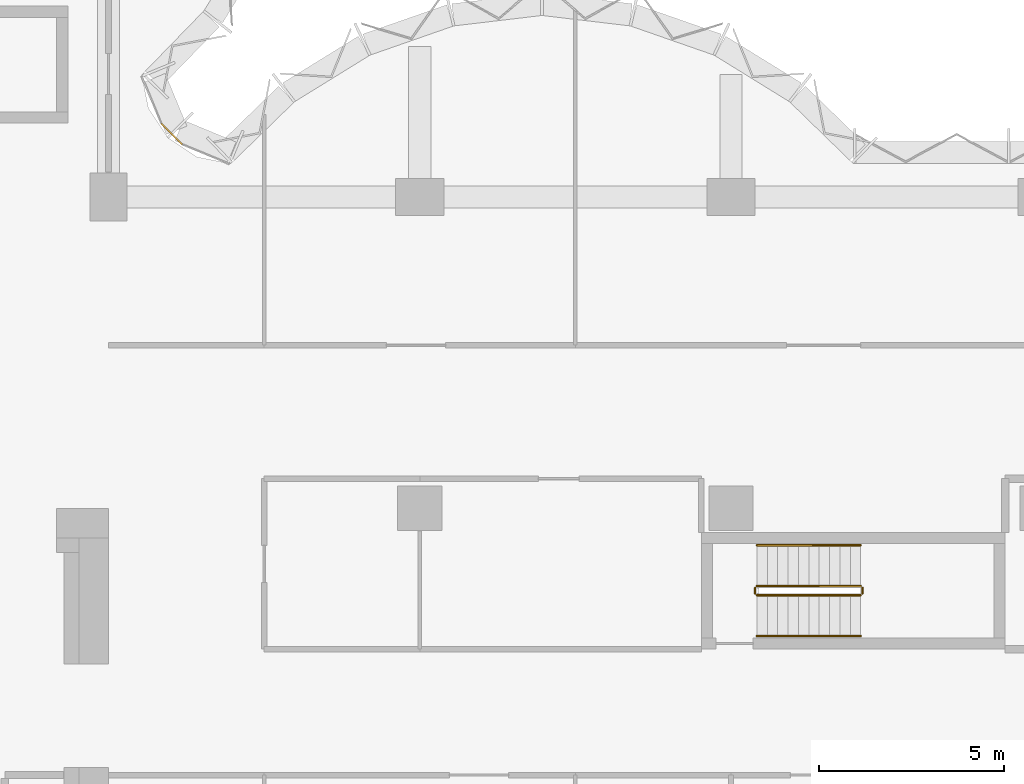
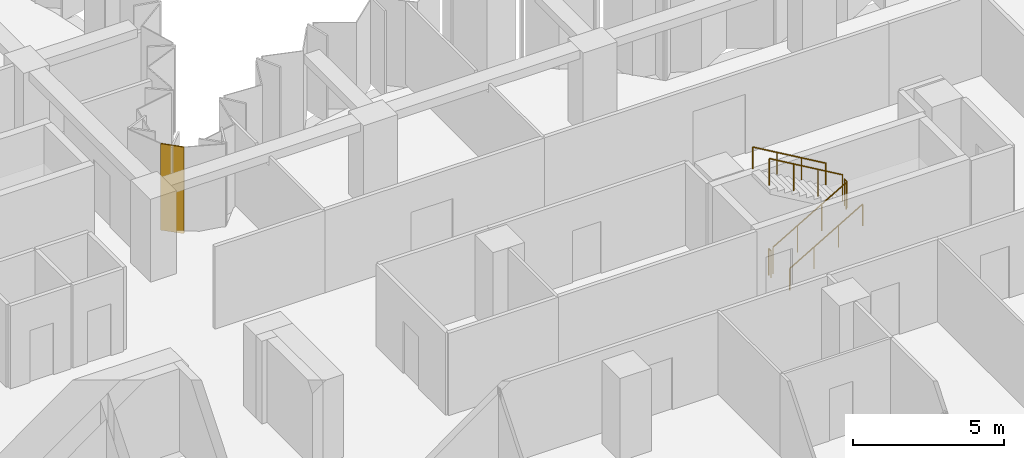
# One storey, part 13 of 13: 6 railings, 1 covering, 1 element without a shape of its own.
"""IFC4 building model written with IfcOpenShell, lengths in metres."""

from ifc_helpers import new_model, si_unit, direction, frame, origin, origin_2d, place, context, subcontext, project, spatial, polyline, circle, outline, extrude, material, layer, layer_set, type_object, element, aggregate, save


model = new_model("IFC4")

# Units and contexts
model_context = context("Model", 3, precision=1e-05, world=origin(), true_north=direction((0.0, 1.0)))
body_context = subcontext(model_context, "Body", "Model", "MODEL_VIEW")
ifc_project = project(units=[si_unit("LENGTHUNIT", "METRE"), si_unit("AREAUNIT", "SQUARE_METRE"), si_unit("VOLUMEUNIT", "CUBIC_METRE"), si_unit("PLANEANGLEUNIT", "RADIAN"), si_unit("MASSUNIT", "GRAM", prefix="KILO")], contexts=[model_context])

# Site, building, storey
site_placement = place(None, origin())
site = spatial("IfcSite", under=ifc_project, at=site_placement, CompositionType="ELEMENT")
building_placement = place(site_placement, origin())
building = spatial("IfcBuilding", under=site, at=building_placement, Name="Brevane Broadcast Tower", CompositionType="ELEMENT")
storey_placement = place(building_placement, frame((0.0, 0.0, 102.5)))
storey = spatial("IfcBuildingStorey", under=building, at=storey_placement, Name="L24", CompositionType="ELEMENT", Elevation=102.5)

# Railings
ifc_material_1 = material(Name="Steel S355", Category="steel")
railing_type_1 = type_object("IfcRailingType", Name="Exit stair guard", PredefinedType="GUARDRAIL", material=ifc_material_1)
railing_1_placement = place(storey_placement, frame((42.699951171875, 14.449951171875, 0.16357421875)))
element("IfcRailing", 1, at=railing_1_placement, inside=storey, type_object=railing_type_1, Name="L24 ST-4 stair guard 1", PredefinedType="GUARDRAIL", context=body_context, shape_type="SweptSolid", body=[
    extrude(circle(Radius=0.02392578125, at=origin_2d()), frame((0.0, 0.0, 1.076171875), z_axis=(0.863360870873, 0.0, 0.504586966384), x_axis=(0.0, 1.0, 0.0)), (0.0, 0.0, 1.0), 3.2431640625),
    extrude(circle(Radius=0.02099609375, at=origin_2d()), origin(), (0.0, 0.0, 1.0), 1.052001953125),
    extrude(circle(Radius=0.02099609375, at=origin_2d()), frame((0.933349609375, 0.0, 0.54541015625)), (0.0, 0.0, 1.0), 1.052001953125),
    extrude(circle(Radius=0.02099609375, at=origin_2d()), frame((1.86669921875, 0.0, 1.091064453125)), (0.0, 0.0, 1.0), 1.052001953125),
    extrude(circle(Radius=0.02099609375, at=origin_2d()), frame((2.800048828125, 0.0, 1.636474609375)), (0.0, 0.0, 1.0), 1.052001953125),
])
railing_2_placement = place(storey_placement, frame((45.550048828125, 14.5, 1.800048828125)))
element("IfcRailing", 2, at=railing_2_placement, inside=storey, type_object=railing_type_1, Name="L24 ST-4 stair guard 2", PredefinedType="GUARDRAIL", context=body_context, shape_type="SweptSolid", body=[
    extrude(circle(Radius=0.02392578125, at=origin_2d()), frame((0.0, 0.0, 1.076171875), z_axis=(0.0, 1.0, 0.0), x_axis=(-1.0, 0.0, 0.0)), (0.0, 0.0, 1.0), 0.14990234375),
    extrude(circle(Radius=0.02099609375, at=origin_2d()), origin(), (0.0, 0.0, 1.0), 1.052001953125),
    extrude(circle(Radius=0.02099609375, at=origin_2d()), frame((0.0, 0.14990234375, 0.0)), (0.0, 0.0, 1.0), 1.052001953125),
])
railing_3_placement = place(storey_placement, frame((45.5, 14.699951171875, 1.963623046875)))
element("IfcRailing", 3, at=railing_3_placement, inside=storey, type_object=railing_type_1, Name="L24 ST-4 stair guard 3", PredefinedType="GUARDRAIL", context=body_context, shape_type="SweptSolid", body=[
    extrude(circle(Radius=0.02392578125, at=origin_2d()), frame((0.0, 0.0, 1.076171875), z_axis=(-0.863360870873, 0.0, 0.504586966384), x_axis=(0.0, -1.0, 0.0)), (0.0, 0.0, 1.0), 3.2431640625),
    extrude(circle(Radius=0.02099609375, at=origin_2d()), origin(), (0.0, 0.0, 1.0), 1.052001953125),
    extrude(circle(Radius=0.02099609375, at=origin_2d()), frame((-0.933349609375, 0.0, 0.54541015625)), (0.0, 0.0, 1.0), 1.052001953125),
    extrude(circle(Radius=0.02099609375, at=origin_2d()), frame((-1.86669921875, 0.0, 1.091064453125)), (0.0, 0.0, 1.0), 1.052001953125),
    extrude(circle(Radius=0.02099609375, at=origin_2d()), frame((-2.800048828125, 0.0, 1.636474609375)), (0.0, 0.0, 1.0), 1.052001953125),
])
railing_4_placement = place(storey_placement, frame((42.64990234375, 14.5, 0.0)))
element("IfcRailing", 4, at=railing_4_placement, inside=storey, type_object=railing_type_1, Name="L24 ST-4 stair guard 4", PredefinedType="GUARDRAIL", context=body_context, shape_type="SweptSolid", body=[
    extrude(circle(Radius=0.02392578125, at=origin_2d()), frame((0.0, 0.0, 1.076171875), z_axis=(0.0, 1.0, 0.0), x_axis=(-1.0, 0.0, 0.0)), (0.0, 0.0, 1.0), 0.14990234375),
    extrude(circle(Radius=0.02099609375, at=origin_2d()), origin(), (0.0, 0.0, 1.0), 1.052001953125),
    extrude(circle(Radius=0.02099609375, at=origin_2d()), frame((0.0, 0.14990234375, 0.0)), (0.0, 0.0, 1.0), 1.052001953125),
])
railing_type_2 = type_object("IfcRailingType", Name="Exit stair handrail", PredefinedType="HANDRAIL", material=ifc_material_1)
railing_5_placement = place(storey_placement, frame((42.699951171875, 13.35009765625, 0.16357421875)))
element("IfcRailing", 5, at=railing_5_placement, inside=storey, type_object=railing_type_2, Name="L24 ST-4 stair handrail 1", PredefinedType="HANDRAIL", context=body_context, shape_type="SweptSolid", body=[
    extrude(circle(Radius=0.02392578125, at=origin_2d()), frame((0.0, 0.0, 0.8759765625), z_axis=(0.863360870873, 0.0, 0.504586966384), x_axis=(0.0, 1.0, 0.0)), (0.0, 0.0, 1.0), 3.2431640625),
    extrude(circle(Radius=0.02099609375, at=origin_2d()), origin(), (0.0, 0.0, 1.0), 0.851806640625),
    extrude(circle(Radius=0.02099609375, at=origin_2d()), frame((0.933349609375, 0.0, 0.54541015625)), (0.0, 0.0, 1.0), 0.851806640625),
    extrude(circle(Radius=0.02099609375, at=origin_2d()), frame((1.86669921875, 0.0, 1.091064453125)), (0.0, 0.0, 1.0), 0.851806640625),
    extrude(circle(Radius=0.02099609375, at=origin_2d()), frame((2.800048828125, 0.0, 1.636474609375)), (0.0, 0.0, 1.0), 0.851806640625),
])
railing_6_placement = place(storey_placement, frame((45.5, 15.800048828125, 1.963623046875)))
element("IfcRailing", 6, at=railing_6_placement, inside=storey, type_object=railing_type_2, Name="L24 ST-4 stair handrail 2", PredefinedType="HANDRAIL", context=body_context, shape_type="SweptSolid", body=[
    extrude(circle(Radius=0.02392578125, at=origin_2d()), frame((0.0, 0.0, 0.8759765625), z_axis=(-0.863360870873, 0.0, 0.504586966384), x_axis=(0.0, -1.0, 0.0)), (0.0, 0.0, 1.0), 3.2431640625),
    extrude(circle(Radius=0.02099609375, at=origin_2d()), origin(), (0.0, 0.0, 1.0), 0.851806640625),
    extrude(circle(Radius=0.02099609375, at=origin_2d()), frame((-0.933349609375, 0.0, 0.54541015625)), (0.0, 0.0, 1.0), 0.851806640625),
    extrude(circle(Radius=0.02099609375, at=origin_2d()), frame((-1.86669921875, 0.0, 1.091064453125)), (0.0, 0.0, 1.0), 0.851806640625),
    extrude(circle(Radius=0.02099609375, at=origin_2d()), frame((-2.800048828125, 0.0, 1.636474609375)), (0.0, 0.0, 1.0), 0.851806640625),
])

# Curtain wall, covering
ifc_material_2 = material(Name="Aluminium 6063-T6 bronze anodised", Category="aluminium")
curtain_wall_type = type_object("IfcCurtainWallType", Name="CW-1 curtain wall", PredefinedType="NOTDEFINED", material=ifc_material_2)
curtain_wall_placement = place(storey_placement, origin())
curtain_wall = element("IfcCurtainWall", 7, at=curtain_wall_placement, inside=storey, type_object=curtain_wall_type, Name="CW-1 typical tilted unit L24 inner corner", PredefinedType="NOTDEFINED")
ifc_material_3 = material(Name="Back-painted bronze glass shadow-box", Category="glass")
ifc_layer = layer(ifc_material_3, 0.0400390625)
ifc_layer_set = layer_set([ifc_layer], Name="Shadow-box panel 40")
covering_type = type_object("IfcCoveringType", Name="Shadow-box panel 40", PredefinedType="CLADDING", material=ifc_layer_set)
covering_placement = place(storey_placement, frame((0.0, 0.0, -0.14990234375)))
covering = element("IfcCovering", 8, at=covering_placement, type_object=covering_type, Name="Closure panel", PredefinedType="CLADDING", context=body_context, shape_type="SweptSolid", body=[
    extrude(outline(polyline([(27.17138671875, 26.60498046875), (27.2021484375, 26.635498046875), (26.635498046875, 27.2021484375), (26.60498046875, 27.17138671875), (27.17138671875, 26.60498046875)])), origin(), (0.0, 0.0, 1.0), 3.5),
])
aggregate(curtain_wall, [covering])

save(model, "model.ifc")
